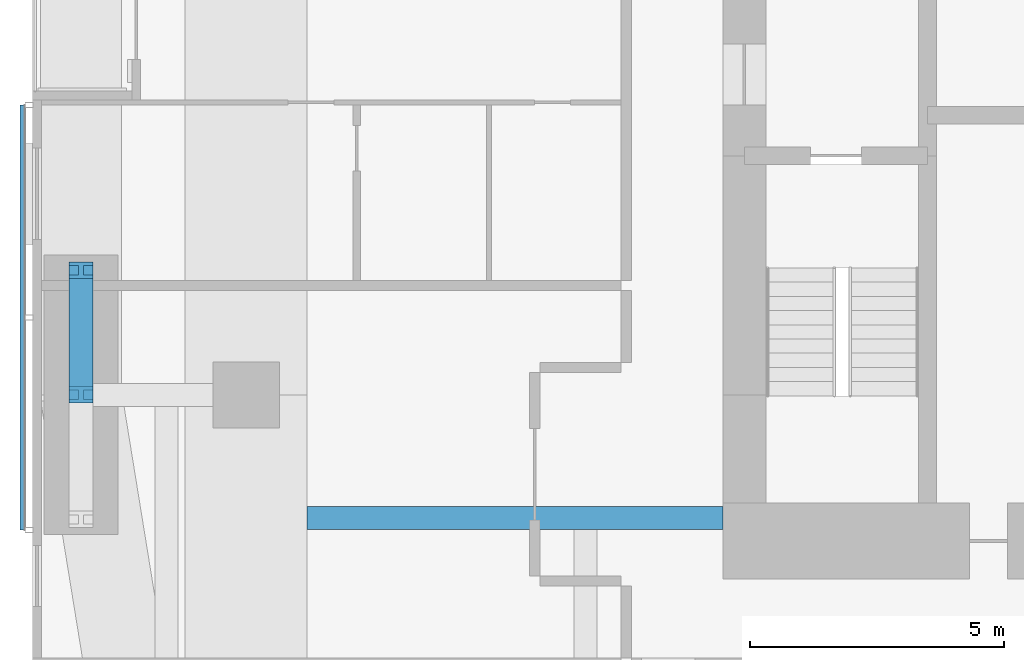
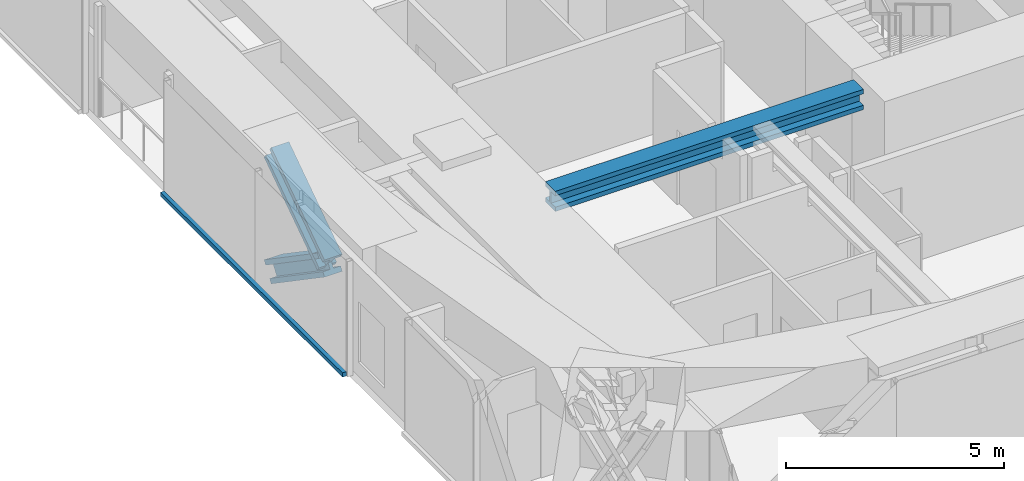
# One storey, part 3 of 24: 3 members, 1 beam, 1 element without a shape of its own.
"""IFC4 building model written with IfcOpenShell, lengths in metres."""

from ifc_helpers import new_model, si_unit, direction, frame, origin, origin_2d, place, context, subcontext, project, spatial, rectangle, i_section, extrude, material, material_profile, profile_set, type_object, element, aggregate, save


model = new_model("IFC4")

# Units and contexts
model_context = context("Model", 3, precision=1e-05, world=origin(), true_north=direction((0.0, 1.0)))
body_context = subcontext(model_context, "Body", "Model", "MODEL_VIEW")
ifc_project = project(units=[si_unit("LENGTHUNIT", "METRE"), si_unit("AREAUNIT", "SQUARE_METRE"), si_unit("VOLUMEUNIT", "CUBIC_METRE"), si_unit("PLANEANGLEUNIT", "RADIAN"), si_unit("MASSUNIT", "GRAM", prefix="KILO")], contexts=[model_context])

# Site, building, storey
site_placement = place(None, origin())
site = spatial("IfcSite", under=ifc_project, at=site_placement, CompositionType="ELEMENT")
building_placement = place(site_placement, origin())
building = spatial("IfcBuilding", under=site, at=building_placement, Name="Jalousie Tower", CompositionType="ELEMENT")
storey_placement = place(building_placement, frame((0.0, 0.0, 124.949951171875)))
storey = spatial("IfcBuildingStorey", under=building, at=storey_placement, Name="L34", CompositionType="ELEMENT", Elevation=124.949951171875)

# Beam
ifc_material_1 = material(Name="Steel ASTM A992 Grade 50", Category="steel")
ifc_material_profile_1 = material_profile(ifc_material_1, i_section(OverallWidth=0.45458984375, OverallDepth=0.569091796875, WebThickness=0.077880859375, FlangeThickness=0.124755859375, at=origin_2d()), Name="W14X730")
ifc_profile_set_1 = profile_set([ifc_material_profile_1], Name="Steel ASTM A992 Grade 50")
beam_type = type_object("IfcBeamType", Name="LEAN COLLECTOR W14X730", PredefinedType="BEAM", material=ifc_profile_set_1)
beam_placement = place(storey_placement, frame((11.39990234375, 10.574951171875, 2.825439453125), z_axis=(1.0, 0.0, 0.0), x_axis=(0.0, 1.0, 0.0)))
element("IfcBeam", 1, at=beam_placement, inside=storey, type_object=beam_type, Name="Lean collector under L35", PredefinedType="BEAM", context=body_context, shape_type="SweptSolid", body=[
    extrude(i_section(OverallWidth=0.45458984375, OverallDepth=0.569091796875, WebThickness=0.077880859375, FlangeThickness=0.124755859375, at=origin_2d()), origin(), (0.0, 0.0, 1.0), 8.175048828125),
])

# Members
ifc_material_2 = material(Name="Steel ASTM A992 Grade 50", Category="steel")
ifc_material_profile_2 = material_profile(ifc_material_2, i_section(OverallWidth=0.472412109375, OverallDepth=0.5791015625, WebThickness=0.094970703125, FlangeThickness=0.1298828125, at=origin_2d()), Name="W14X808")
ifc_profile_set_2 = profile_set([ifc_material_profile_2], Name="Steel ASTM A992 Grade 50")
member_type_1 = type_object("IfcMemberType", Name="PERIMETER BRACE W14X808", PredefinedType="BRACE", material=ifc_profile_set_2)
for number, where, z_axis, x_axis, name in (
    (2, (6.949951171875, 13.0, 1.074951171875), (0.0, 0.825500916831, 0.564400776321), (-1.0, 0.0, 0.0), "Perimeter brace 14 L34 part 2"),
    (3, (6.949951171875, 15.449951171875, -0.599853515625), (0.0, -0.825539243753, 0.564344714713), (1.0, 0.0, 0.0), "Perimeter brace 14 L34 part 3"),
):
    element("IfcMember", number, at=place(storey_placement, frame(where, z_axis=z_axis, x_axis=x_axis)), inside=storey, type_object=member_type_1, Name=name, PredefinedType="BRACE", context=body_context, shape_type="SweptSolid", body=[
        extrude(i_section(OverallWidth=0.472412109375, OverallDepth=0.5791015625, WebThickness=0.094970703125, FlangeThickness=0.1298828125, at=origin_2d()), origin(), (0.0, 0.0, 1.0), 2.9677734375),
    ])

# Curtain wall, member
ifc_material_3 = material(Name="Perforated aluminium sheet", Category="aluminium")
curtain_wall_type = type_object("IfcCurtainWallType", Name="SOLAR SCREEN SS-1", PredefinedType="USERDEFINED", material=ifc_material_3)
curtain_wall_placement = place(storey_placement, origin())
curtain_wall = element("IfcCurtainWall", 4, at=curtain_wall_placement, inside=storey, type_object=curtain_wall_type, Name="Solar screen L34", ObjectType="SOLAR SCREEN SS-1", PredefinedType="USERDEFINED")
ifc_material_4 = material(Name="Extruded aluminium screen rail", Category="aluminium")
ifc_material_profile_3 = material_profile(ifc_material_4, rectangle(XDim=0.1015625, YDim=0.1201171875, at=origin_2d()), Name="RAIL 102x120")
ifc_profile_set_3 = profile_set([ifc_material_profile_3], Name="Extruded aluminium screen rail")
member_type_2 = type_object("IfcMemberType", Name="SOLAR SCREEN SS-1 TRANSOM", PredefinedType="USERDEFINED", material=ifc_profile_set_3)
member_placement = place(storey_placement, frame((5.8017578125, 18.699951171875, -0.06005859375), z_axis=(0.0, -1.0, 0.0), x_axis=(1.0, 0.0, 0.0)))
member = element("IfcMember", 5, at=member_placement, type_object=member_type_2, Name="SS1 rail", ObjectType="TRANSOM", PredefinedType="USERDEFINED", context=body_context, shape_type="SweptSolid", body=[
    extrude(rectangle(XDim=0.1015625, YDim=0.1201171875, at=origin_2d()), origin(), (0.0, 0.0, 1.0), 8.359375),
])
aggregate(curtain_wall, [member])

save(model, "model.ifc")
